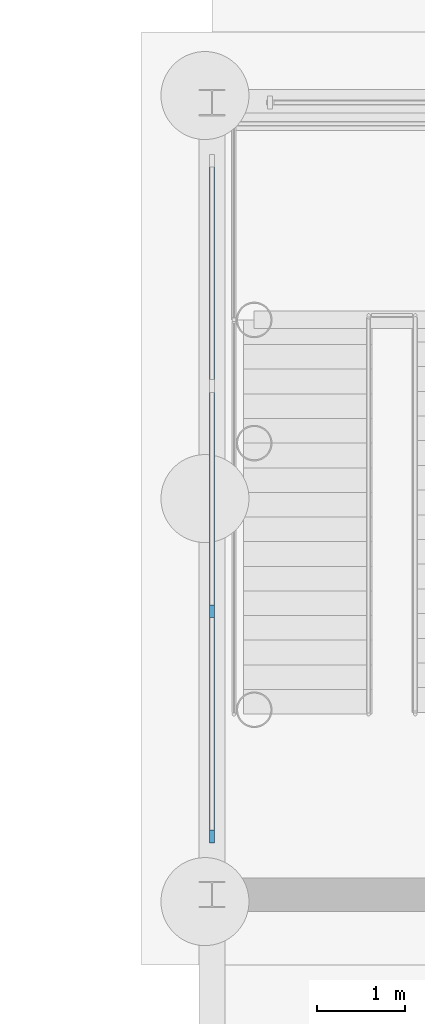
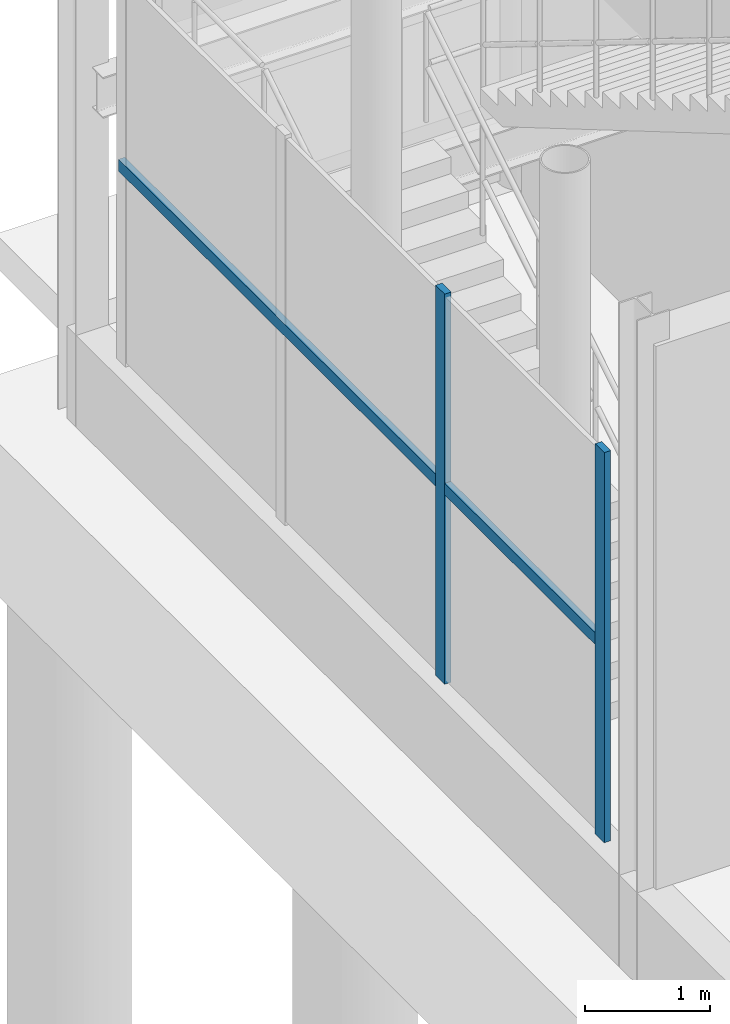
# One storey, part 43 of 98: 3 members, 1 element without a shape of its own.
"""IFC4 building model written with IfcOpenShell, lengths in metres."""

import ifcopenshell
import ifcopenshell.guid

model = None  # the IFC model being written
_history = None  # IfcOwnerHistory: only IFC2X3 demands one
_inside = {}  # id of a spatial element -> (the spatial element, [elements in it])
_under = {}  # id of a project, library or spatial element -> (it, [spatial elements below it])
_declared = {}  # id of a project -> (the project, [libraries it declares])
_typed = {}  # id of a type object -> (the type object, [elements of that type])
_made_of = {}  # id of a material, layer set ... -> (it, [elements and type objects made of it])


def new_model(schema):
    """Start an empty IFC model of exactly this schema.

    Asked for "IFC4X3", IfcOpenShell would pick the latest addendum, in which some entities
    have other attributes; the version numbers below select the first issue.
    IFC2X3 requires an IfcOwnerHistory on every rooted entity: one is made here for all.
    """
    global model, _history
    if schema == "IFC4X3":
        model = ifcopenshell.file(schema_version=(4, 3, 0, 0))
    else:
        model = ifcopenshell.file(schema=schema)
    _inside.clear()
    _under.clear()
    _declared.clear()
    _typed.clear()
    _made_of.clear()
    _history = None
    if model.schema == "IFC2X3":
        org = make("IfcOrganization", Name="unknown")
        user = make(
            "IfcPersonAndOrganization",
            ThePerson=make("IfcPerson", FamilyName="unknown"),
            TheOrganization=org,
        )
        app = make(
            "IfcApplication",
            ApplicationDeveloper=org,
            Version="unknown",
            ApplicationFullName="unknown",
            ApplicationIdentifier="unknown",
        )
        _history = make(
            "IfcOwnerHistory",
            OwningUser=user,
            OwningApplication=app,
            ChangeAction="ADDED",
            CreationDate=0,
        )
    return model


def make(cls, **values):
    """One entity of the class cls with the attributes given. An attribute that is None is left unset."""
    return model.create_entity(
        cls, **{name: value for name, value in values.items() if value is not None}
    )


def rooted(cls, **values):
    """An entity with a GlobalId (a new one), such as an element, a storey or a relation."""
    return make(cls, GlobalId=ifcopenshell.guid.new(), OwnerHistory=_history, **values)


def si_unit(unit_type, name, prefix=None):
    """IfcSIUnit, for example si_unit("LENGTHUNIT", "METRE", prefix="MILLI")."""
    return make("IfcSIUnit", UnitType=unit_type, Prefix=prefix, Name=name)


def derived_unit(unit_type, elements):
    """IfcDerivedUnit: a product of units, each with its exponent."""
    return make(
        "IfcDerivedUnit",
        Elements=[
            make("IfcDerivedUnitElement", Unit=unit, Exponent=power)
            for unit, power in elements
        ],
        UnitType=unit_type,
    )


def assignment(units):
    """IfcUnitAssignment: the units of a project."""
    return None if units is None else make("IfcUnitAssignment", Units=units)


def point(xyz):
    """IfcCartesianPoint."""
    return None if xyz is None else make("IfcCartesianPoint", Coordinates=xyz)


def direction(xyz):
    """IfcDirection."""
    return None if xyz is None else make("IfcDirection", DirectionRatios=xyz)


def frame(location, z_axis=None, x_axis=None):
    """IfcAxis2Placement3D, a coordinate frame: its origin and axes. An axis left out is left unset."""
    return make(
        "IfcAxis2Placement3D",
        Location=point(location),
        Axis=direction(z_axis),
        RefDirection=direction(x_axis),
    )


def frame_2d(location, x_axis=None):
    """IfcAxis2Placement2D, a coordinate frame in the plane: its origin and x axis."""
    return make(
        "IfcAxis2Placement2D", Location=point(location), RefDirection=direction(x_axis)
    )


def origin():
    """The frame at (0, 0, 0) with its axes left unset."""
    return frame((0.0, 0.0, 0.0))


def origin_2d():
    """The frame at (0, 0) in the plane with its x axis left unset."""
    return frame_2d((0.0, 0.0))


def place(relative_to, where):
    """IfcLocalPlacement: puts the frame where relative to a parent placement (None: the world)."""
    return make(
        "IfcLocalPlacement", PlacementRelTo=relative_to, RelativePlacement=where
    )


def context(
    kind, dimensions, precision=None, world=None, true_north=None, identifier=None
):
    """IfcGeometricRepresentationContext, for example the 3D "Model" context."""
    return make(
        "IfcGeometricRepresentationContext",
        ContextIdentifier=identifier,
        ContextType=kind,
        CoordinateSpaceDimension=dimensions,
        Precision=precision,
        WorldCoordinateSystem=world,
        TrueNorth=true_north,
    )


def subcontext(parent, identifier, kind, view, scale=None):
    """IfcGeometricRepresentationSubContext, for example "Body" below "Model"."""
    return make(
        "IfcGeometricRepresentationSubContext",
        ContextIdentifier=identifier,
        ContextType=kind,
        ParentContext=parent,
        TargetScale=scale,
        TargetView=view,
    )


def project(units=None, contexts=None):
    """IfcProject with its units and contexts."""
    return rooted(
        "IfcProject",
        Name="project",
        RepresentationContexts=contexts,
        UnitsInContext=assignment(units),
    )


def spatial(cls, under=None, at=None, **own):
    """A site, building, storey or space (cls), placed at a placement, below another one or the project."""
    s = rooted(cls, ObjectPlacement=at, **own)
    if under is not None:
        _under.setdefault(under.id(), (under, []))[1].append(s)
    return s


def profile(cls, at=None, kind="AREA", **sizes):
    """A parametric profile (cls). Its sizes go by their IFC names, for example OverallWidth=200.0."""
    return make(cls, ProfileType=kind, Position=at, **sizes)


def rectangle(**sizes):
    """IfcRectangleProfileDef."""
    return profile("IfcRectangleProfileDef", **sizes)


def extrude(swept, where, along, depth):
    """IfcExtrudedAreaSolid: the profile swept, set in the frame where, extruded along a direction by depth."""
    return make(
        "IfcExtrudedAreaSolid",
        SweptArea=swept,
        Position=where,
        ExtrudedDirection=direction(along),
        Depth=depth,
    )


def shape(context_of_items, identifier, shape_type, items):
    """IfcShapeRepresentation: the items that make up one representation, for example the "Body"."""
    return make(
        "IfcShapeRepresentation",
        ContextOfItems=context_of_items,
        RepresentationIdentifier=identifier,
        RepresentationType=shape_type,
        Items=items,
    )


def material(Name=None, Category=None):
    """IfcMaterial."""
    return make("IfcMaterial", Name=Name, Category=Category)


def layer(
    of_material, thickness, ventilated=None, Name=None, Category=None, Priority=None
):
    """IfcMaterialLayer: one layer of a wall or slab, of a material (None: an air gap)."""
    return make(
        "IfcMaterialLayer",
        Material=of_material,
        LayerThickness=thickness,
        IsVentilated=ventilated,
        Name=Name,
        Category=Category,
        Priority=Priority,
    )


def layer_set(layers, Name=None):
    """IfcMaterialLayerSet."""
    return make("IfcMaterialLayerSet", MaterialLayers=layers, LayerSetName=Name)


def material_profile(
    of_material, cross_section, Name=None, Category=None, Priority=None
):
    """IfcMaterialProfile: a cross section and its material."""
    return make(
        "IfcMaterialProfile",
        Name=Name,
        Material=of_material,
        Profile=cross_section,
        Priority=Priority,
        Category=Category,
    )


def profile_set(profiles, Name=None, composite=None):
    """IfcMaterialProfileSet."""
    return make(
        "IfcMaterialProfileSet",
        Name=Name,
        MaterialProfiles=profiles,
        CompositeProfile=composite,
    )


def made_of(thing, what):
    """Note that an element or type object is made of a material, layer set ...; save() writes the relation."""
    if what is not None:
        _made_of.setdefault(what.id(), (what, []))[1].append(thing)
    return thing


def type_object(cls, material=None, **own):
    """A type object (cls), such as IfcWallType, which elements share."""
    return made_of(rooted(cls, **own), material)


def element(
    cls,
    number,
    at=None,
    inside=None,
    cuts=None,
    type_object=None,
    material=None,
    context=None,
    identifier="Body",
    shape_type=None,
    held_by="IfcProductDefinitionShape",
    body=None,
    shapes=None,
    **own,
):
    """One element of the class cls, such as IfcWall. Its Tag is "e" and its number.

    at: its placement. inside: the storey or other place that contains it. cuts: it is an
    opening in that element (IfcRelVoidsElement). A single representation is given by context,
    identifier, shape_type and body (its items); several are given by shapes. held_by: the class
    of the entity that holds the representations. save() writes the other relations.
    """
    e = rooted(cls, Tag="e%d" % number, ObjectPlacement=at, **own)
    if body is not None:
        shapes = [shape(context, identifier, shape_type, body)]
    if shapes is not None:
        e.Representation = make(held_by, Representations=shapes)
    if inside is not None:
        _inside.setdefault(inside.id(), (inside, []))[1].append(e)
    if cuts is not None:
        rooted(
            "IfcRelVoidsElement", RelatingBuildingElement=cuts, RelatedOpeningElement=e
        )
    if type_object is not None:
        _typed.setdefault(type_object.id(), (type_object, []))[1].append(e)
    return made_of(e, material)


def aggregate(whole, parts):
    """IfcRelAggregates: a whole, such as a stair, and the parts it consists of."""
    return rooted("IfcRelAggregates", RelatingObject=whole, RelatedObjects=parts)


def save(model, path):
    """Write the relations noted so far, then the file.

    IfcRelAggregates (storeys below a building ...), IfcRelContainedInSpatialStructure (elements
    in a storey), IfcRelDefinesByType, IfcRelAssociatesMaterial and IfcRelDeclares: one each for
    every whole, place, type object, material and project.
    """
    for whole, parts in _under.values():
        aggregate(whole, parts)
    for where, things in _inside.values():
        rooted(
            "IfcRelContainedInSpatialStructure",
            RelatedElements=things,
            RelatingStructure=where,
        )
    for kind, things in _typed.values():
        rooted("IfcRelDefinesByType", RelatedObjects=things, RelatingType=kind)
    for what, things in _made_of.values():
        rooted("IfcRelAssociatesMaterial", RelatedObjects=things, RelatingMaterial=what)
    for by, libraries in _declared.values():
        rooted("IfcRelDeclares", RelatingContext=by, RelatedDefinitions=libraries)
    model.write(path)


model = new_model("IFC4")

# Units and contexts
model_context = context("Model", 3, precision=1e-05, world=origin(), true_north=direction((0.0, 1.0)))
body_context = subcontext(model_context, "Body", "Model", "MODEL_VIEW")
ifc_project = project(units=[si_unit("LENGTHUNIT", "METRE"), si_unit("AREAUNIT", "SQUARE_METRE"), si_unit("VOLUMEUNIT", "CUBIC_METRE"), si_unit("PLANEANGLEUNIT", "RADIAN"), si_unit("MASSUNIT", "GRAM", prefix="KILO"), si_unit("THERMODYNAMICTEMPERATUREUNIT", "KELVIN"), derived_unit("THERMALTRANSMITTANCEUNIT", [(si_unit("POWERUNIT", "WATT"), 1), (si_unit("AREAUNIT", "SQUARE_METRE"), -1), (si_unit("THERMODYNAMICTEMPERATUREUNIT", "KELVIN"), -1)])], contexts=[model_context])

# Site, building, storey
site_placement = place(None, origin())
site = spatial("IfcSite", under=ifc_project, at=site_placement, CompositionType="ELEMENT")
building_placement = place(site_placement, origin())
building = spatial("IfcBuilding", under=site, at=building_placement, Name="Haiyu Intermodal Mobility Hub", CompositionType="ELEMENT")
storey_placement = place(building_placement, origin())
storey = spatial("IfcBuildingStorey", under=building, at=storey_placement, Name="L00", CompositionType="ELEMENT", Elevation=0.0)

# Curtain wall, members
ifc_material_1 = material(Name="Low-e laminated insulating glass", Category="glass")
ifc_layer = layer(ifc_material_1, 0.199951171875)
ifc_layer_set = layer_set([ifc_layer], Name="Low-e laminated insulating glass")
curtain_wall_type = type_object("IfcCurtainWallType", Name="CW-CW03", PredefinedType="NOTDEFINED", material=ifc_layer_set)
curtain_wall_placement = place(storey_placement, origin())
curtain_wall = element("IfcCurtainWall", 1, at=curtain_wall_placement, inside=storey, type_object=curtain_wall_type, Name="Curtain Wall CW-C3S-L00-050", PredefinedType="NOTDEFINED")
ifc_material_2 = material(Name="Anodised aluminium 6063-T6", Category="aluminium")
ifc_material_profile_1 = material_profile(ifc_material_2, rectangle(XDim=0.06005859375, YDim=0.14501953125, at=origin_2d()), Name="ALU60x145")
ifc_profile_set_1 = profile_set([ifc_material_profile_1], Name="Anodised aluminium 6063-T6")
member_type_1 = type_object("IfcMemberType", Name="CWM-ML03", PredefinedType="MULLION", material=ifc_profile_set_1)
member_1_placement = place(storey_placement, frame((22.0, 142.219970703125, 0.0), z_axis=(0.0, 0.0, 1.0), x_axis=(1.0, 0.0, 0.0)))
member_1 = element("IfcMember", 2, at=member_1_placement, type_object=member_type_1, Name="CW-C3S-L00-050-ML03", PredefinedType="MULLION", context=body_context, shape_type="SweptSolid", body=[
    extrude(rectangle(XDim=0.06005859375, YDim=0.14501953125, at=origin_2d()), origin(), (0.0, 0.0, 1.0), 3.820068359375),
])
member_2_placement = place(storey_placement, frame((22.0, 139.659912109375, 0.0), z_axis=(0.0, 0.0, 1.0), x_axis=(1.0, 0.0, 0.0)))
member_2 = element("IfcMember", 3, at=member_2_placement, type_object=member_type_1, Name="CW-C3S-L00-050-ML04", PredefinedType="MULLION", context=body_context, shape_type="SweptSolid", body=[
    extrude(rectangle(XDim=0.06005859375, YDim=0.14501953125, at=origin_2d()), origin(), (0.0, 0.0, 1.0), 3.820068359375),
])
ifc_material_profile_2 = material_profile(ifc_material_2, rectangle(XDim=0.06005859375, YDim=0.114990234375, at=origin_2d()), Name="ALU60x115")
ifc_profile_set_2 = profile_set([ifc_material_profile_2], Name="Anodised aluminium 6063-T6")
member_type_2 = type_object("IfcMemberType", Name="CWM-TR03", PredefinedType="USERDEFINED", material=ifc_profile_set_2)
member_3_placement = place(storey_placement, frame((22.0, 147.3798828125, 1.909912109375), z_axis=(0.0, -1.0, 0.0), x_axis=(1.0, 0.0, 0.0)))
member_3 = element("IfcMember", 4, at=member_3_placement, type_object=member_type_2, Name="CW-C3S-L00-050-TR01", ObjectType="TRANSOM", PredefinedType="USERDEFINED", context=body_context, shape_type="SweptSolid", body=[
    extrude(rectangle(XDim=0.06005859375, YDim=0.114990234375, at=origin_2d()), origin(), (0.0, 0.0, 1.0), 7.759765625),
])
aggregate(curtain_wall, [member_1, member_2, member_3])

save(model, "model.ifc")
